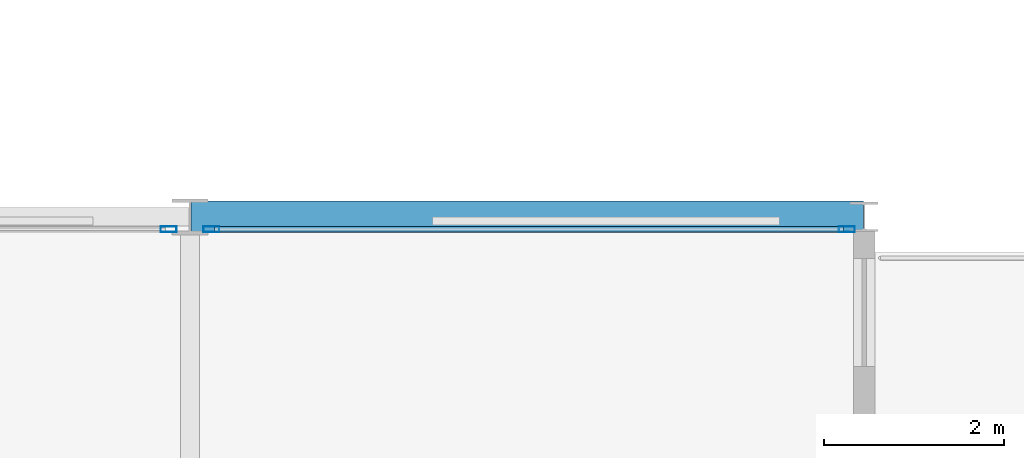
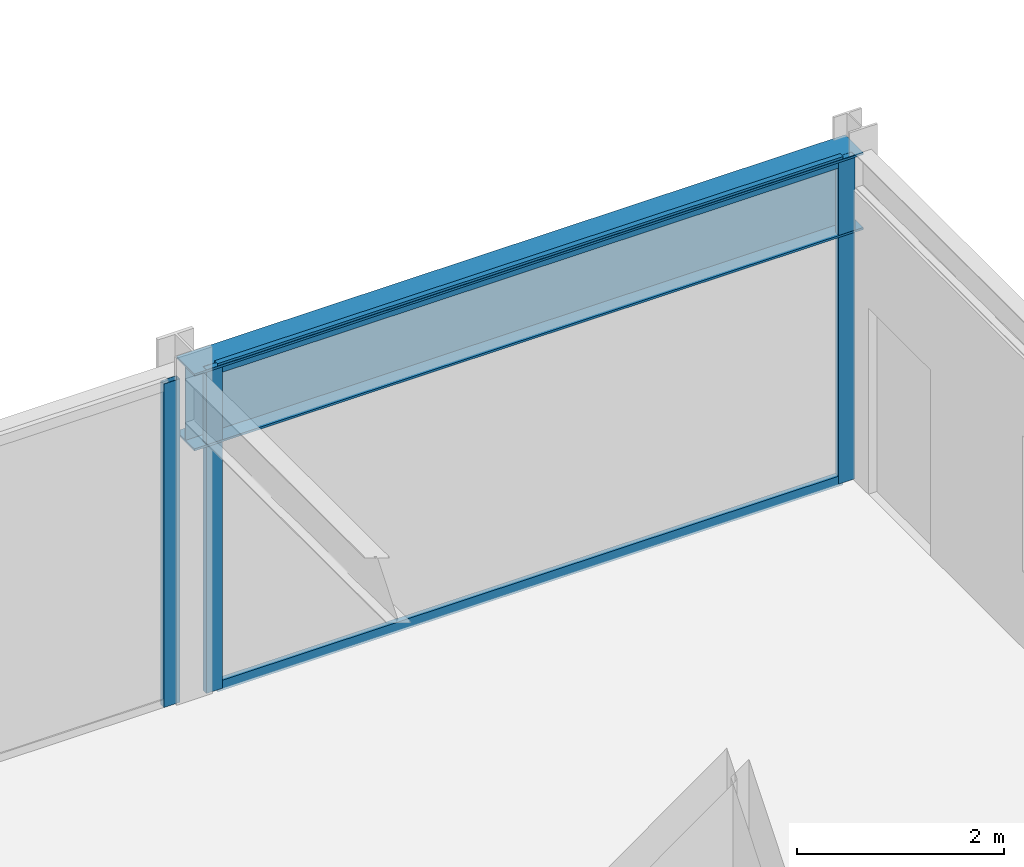
# One storey, part 22 of 38: 5 members, 1 beam, 2 elements without a shape of their own.
"""IFC4 building model written with IfcOpenShell, lengths in metres."""

from ifc_helpers import new_model, si_unit, direction, frame, origin, origin_2d, place, context, subcontext, project, spatial, hollow_rectangle, i_section, extrude, material, layer, layer_set, material_profile, profile_set, type_object, element, aggregate, save


model = new_model("IFC4")

# Units and contexts
model_context = context("Model", 3, precision=1e-05, world=origin(), true_north=direction((0.0, 1.0)))
body_context = subcontext(model_context, "Body", "Model", "MODEL_VIEW")
ifc_project = project(units=[si_unit("LENGTHUNIT", "METRE"), si_unit("AREAUNIT", "SQUARE_METRE"), si_unit("VOLUMEUNIT", "CUBIC_METRE"), si_unit("PLANEANGLEUNIT", "RADIAN"), si_unit("MASSUNIT", "GRAM", prefix="KILO")], contexts=[model_context])

# Site, building, storey
site_placement = place(None, origin())
site = spatial("IfcSite", under=ifc_project, at=site_placement, CompositionType="ELEMENT")
building_placement = place(site_placement, origin())
building = spatial("IfcBuilding", under=site, at=building_placement, Name="Nerrivon Quay Data Exchange", CompositionType="ELEMENT")
storey_placement = place(building_placement, frame((0.0, 0.0, 96.699951171875)))
storey = spatial("IfcBuildingStorey", under=building, at=storey_placement, Name="L22", CompositionType="ELEMENT", Elevation=96.699951171875)

# Beam
ifc_material_1 = material(Name="Steel Grade 350", Category="steel")
ifc_material_profile_1 = material_profile(ifc_material_1, i_section(OverallWidth=0.35009765625, OverallDepth=0.909912109375, WebThickness=0.011962890625, FlangeThickness=0.02490234375, at=origin_2d()), Name="900WB218")
ifc_profile_set_1 = profile_set([ifc_material_profile_1], Name="Steel Grade 350")
beam_type = type_object("IfcBeamType", Name="BM-CANT-900WB", PredefinedType="USERDEFINED", material=ifc_profile_set_1)
beam_placement = place(storey_placement, frame((50.41259765625, 25.199951171875, 3.3701171875), z_axis=(1.0, 0.0, 0.0), x_axis=(0.0, 1.0, 0.0)))
element("IfcBeam", 1, at=beam_placement, inside=storey, type_object=beam_type, Name="L22 East Hooked Cantilever Girder Y=25.2", ObjectType="TRANSFER", PredefinedType="USERDEFINED", context=body_context, shape_type="SweptSolid", body=[
    extrude(i_section(OverallWidth=0.35009765625, OverallDepth=0.909912109375, WebThickness=0.011962890625, FlangeThickness=0.02490234375, at=origin_2d()), origin(), (0.0, 0.0, 1.0), 7.4794921875),
])

# Curtain wall, member
ifc_material_2 = material(Name="Anodised aluminium 6063-T6", Category="aluminium")
ifc_layer_1 = layer(ifc_material_2, 0.2099609375)
ifc_layer_set_1 = layer_set([ifc_layer_1], Name="Anodised aluminium 6063-T6")
curtain_wall_type_1 = type_object("IfcCurtainWallType", Name="CW-SYS-02", PredefinedType="NOTDEFINED", material=ifc_layer_set_1)
curtain_wall_1_placement = place(storey_placement, origin())
curtain_wall_1 = element("IfcCurtainWall", 2, at=curtain_wall_1_placement, inside=storey, type_object=curtain_wall_type_1, Name="L22 Unitised Curtain Wall 34", PredefinedType="NOTDEFINED")
ifc_material_profile_2 = material_profile(ifc_material_2, hollow_rectangle(XDim=0.06494140625, YDim=0.179931640625, WallThickness=0.00341796875, at=origin_2d()), Name="ALU-MULL-180x65")
ifc_profile_set_2 = profile_set([ifc_material_profile_2], Name="Anodised aluminium 6063-T6")
member_type_1 = type_object("IfcMemberType", Name="CWM-180x65", PredefinedType="MULLION", material=ifc_profile_set_2)
member_1_placement = place(storey_placement, frame((50.16259765625, 25.06005859375, 0.0), z_axis=(0.0, 0.0, 1.0), x_axis=(0.0, 1.0, 0.0)))
member_1 = element("IfcMember", 3, at=member_1_placement, type_object=member_type_1, Name="CW02 mullion 2", PredefinedType="MULLION", context=body_context, shape_type="SweptSolid", body=[
    extrude(hollow_rectangle(XDim=0.06494140625, YDim=0.179931640625, WallThickness=0.00341796875, at=origin_2d()), origin(), (0.0, 0.0, 1.0), 3.824951171875),
])
aggregate(curtain_wall_1, [member_1])

# Curtain wall, members
ifc_layer_2 = layer(ifc_material_2, 0.199951171875)
ifc_layer_set_2 = layer_set([ifc_layer_2], Name="Anodised aluminium 6063-T6")
curtain_wall_type_2 = type_object("IfcCurtainWallType", Name="CW-SYS-04", PredefinedType="NOTDEFINED", material=ifc_layer_set_2)
curtain_wall_2_placement = place(storey_placement, origin())
curtain_wall_2 = element("IfcCurtainWall", 4, at=curtain_wall_2_placement, inside=storey, type_object=curtain_wall_type_2, Name="L22 Unitised Curtain Wall 35", PredefinedType="NOTDEFINED")
member_2_placement = place(storey_placement, frame((50.637451171875, 25.06005859375, 0.0), z_axis=(0.0, 0.0, 1.0), x_axis=(0.0, 1.0, 0.0)))
member_2 = element("IfcMember", 5, at=member_2_placement, type_object=member_type_1, Name="CW04 mullion 1", PredefinedType="MULLION", context=body_context, shape_type="SweptSolid", body=[
    extrude(hollow_rectangle(XDim=0.06494140625, YDim=0.179931640625, WallThickness=0.00341796875, at=origin_2d()), origin(), (0.0, 0.0, 1.0), 3.824951171875),
])
member_3_placement = place(storey_placement, frame((57.70703125, 25.06005859375, 0.0), z_axis=(0.0, 0.0, 1.0), x_axis=(0.0, 1.0, 0.0)))
member_3 = element("IfcMember", 6, at=member_3_placement, type_object=member_type_1, Name="CW04 mullion 2", PredefinedType="MULLION", context=body_context, shape_type="SweptSolid", body=[
    extrude(hollow_rectangle(XDim=0.06494140625, YDim=0.179931640625, WallThickness=0.00341796875, at=origin_2d()), origin(), (0.0, 0.0, 1.0), 3.824951171875),
])
ifc_material_profile_3 = material_profile(ifc_material_2, hollow_rectangle(XDim=0.06005859375, YDim=0.1201171875, WallThickness=0.003173828125, at=origin_2d()), Name="ALU-TRAN-120x60")
ifc_profile_set_3 = profile_set([ifc_material_profile_3], Name="Anodised aluminium 6063-T6")
member_type_2 = type_object("IfcMemberType", Name="CWT-120x60", PredefinedType="USERDEFINED", material=ifc_profile_set_3)
member_4_placement = place(storey_placement, frame((50.675048828125, 25.06005859375, 0.032470703125), z_axis=(1.0, 0.0, 0.0), x_axis=(0.0, 1.0, 0.0)))
member_4 = element("IfcMember", 7, at=member_4_placement, type_object=member_type_2, Name="CW04 transom 1.1", ObjectType="TRANSOM", PredefinedType="USERDEFINED", context=body_context, shape_type="SweptSolid", body=[
    extrude(hollow_rectangle(XDim=0.06005859375, YDim=0.1201171875, WallThickness=0.003173828125, at=origin_2d()), origin(), (0.0, 0.0, 1.0), 6.994384765625),
])
member_5_placement = place(storey_placement, frame((50.675048828125, 25.06005859375, 3.79248046875), z_axis=(1.0, 0.0, 0.0), x_axis=(0.0, 1.0, 0.0)))
member_5 = element("IfcMember", 8, at=member_5_placement, type_object=member_type_2, Name="CW04 transom 1.2", ObjectType="TRANSOM", PredefinedType="USERDEFINED", context=body_context, shape_type="SweptSolid", body=[
    extrude(hollow_rectangle(XDim=0.06005859375, YDim=0.1201171875, WallThickness=0.003173828125, at=origin_2d()), origin(), (0.0, 0.0, 1.0), 6.994384765625),
])
aggregate(curtain_wall_2, [member_2, member_3, member_4, member_5])

save(model, "model.ifc")
